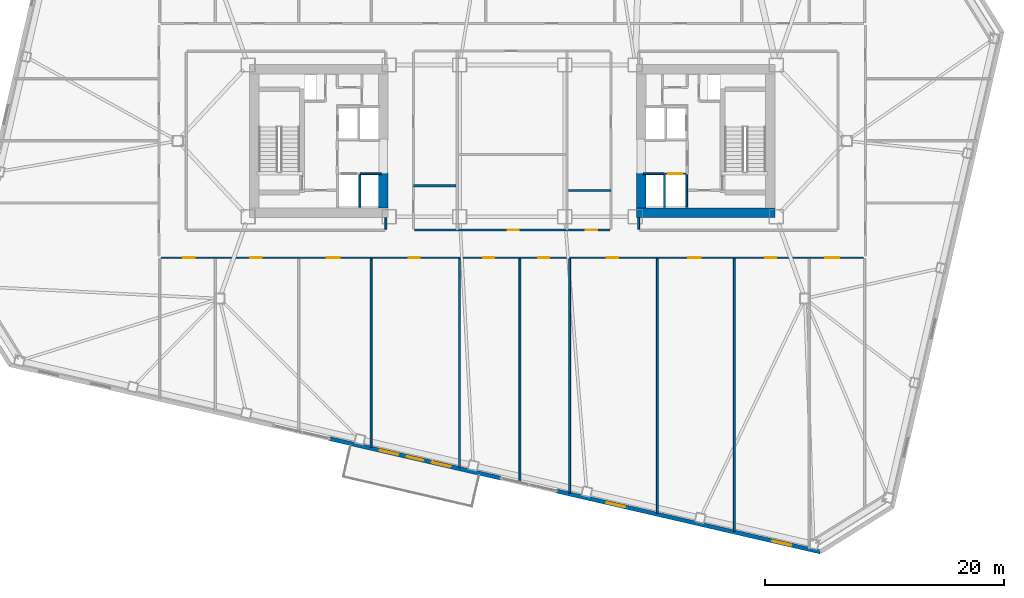
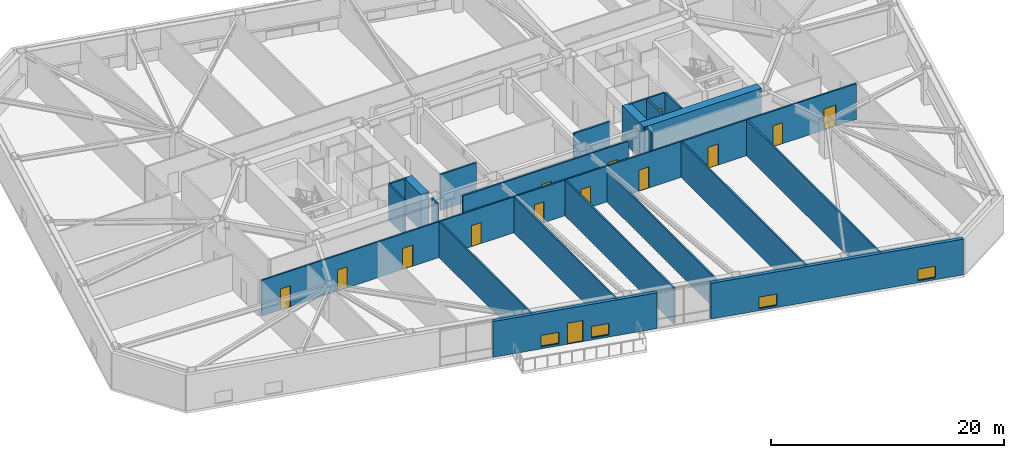
# One storey, part 10 of 21: 23 walls, 14 doors, 4 windows, 18 openings.
"""IFC4 building model written with IfcOpenShell, lengths in metres."""

from ifc_helpers import new_model, si_unit, direction, frame, frame_2d, origin, place, context, subcontext, project, spatial, rectangle, extrude, material, layer, layer_set, type_object, element, fill, save


model = new_model("IFC4")

# Units and contexts
model_context = context("Model", 3, precision=1e-05, world=origin(), true_north=direction((0.0, 1.0)))
body_context = subcontext(model_context, "Body", "Model", "MODEL_VIEW")
ifc_project = project(units=[si_unit("LENGTHUNIT", "METRE"), si_unit("AREAUNIT", "SQUARE_METRE"), si_unit("VOLUMEUNIT", "CUBIC_METRE"), si_unit("PLANEANGLEUNIT", "RADIAN"), si_unit("MASSUNIT", "GRAM", prefix="KILO")], contexts=[model_context])

# Site, building, storey
site_placement = place(None, origin())
site = spatial("IfcSite", under=ifc_project, at=site_placement, CompositionType="ELEMENT")
building_placement = place(site_placement, origin())
building = spatial("IfcBuilding", under=site, at=building_placement, Name="Tavrogorsk Clinical Tower", CompositionType="ELEMENT")
storey_placement = place(building_placement, frame((0.0, 0.0, 59.39990234375)))
storey = spatial("IfcBuildingStorey", under=building, at=storey_placement, Name="L12", CompositionType="ELEMENT", Elevation=59.39990234375)

# Wall, openings, doors
ifc_material_1 = material(Name="Lightweight concrete blockwork B15", Category="masonry")
ifc_layer_1 = layer(ifc_material_1, 0.159912109375)
ifc_layer_set_1 = layer_set([ifc_layer_1], Name="Lightweight concrete blockwork B15")
wall_type_1 = type_object("IfcWallType", Name="PartitionWall_160", PredefinedType="PARTITIONING", material=ifc_layer_set_1)
wall_1_placement = place(storey_placement, frame((29.4150390625, -9.780029296875, 0.0), z_axis=(0.0, 0.0, 1.0), x_axis=(-1.0, 0.0, 0.0)))
wall_1 = element("IfcWall", 1, at=wall_1_placement, inside=storey, type_object=wall_type_1, Name="L12 Corridor Partition 04", PredefinedType="PARTITIONING", context=body_context, shape_type="SweptSolid", body=[
    extrude(rectangle(XDim=58.830078125, YDim=0.159912109375, at=frame_2d((29.4150390625, 0.0))), origin(), (0.0, 0.0, 1.0), 3.739990234375),
])
opening_1_placement = place(wall_1_placement, frame((56.005859375, 0.0, 0.0)))
opening_1 = element("IfcOpeningElement", 2, at=opening_1_placement, cuts=wall_1, Name="Opening ID-02", PredefinedType="OPENING", context=body_context, shape_type="SweptSolid", body=[
    extrude(rectangle(XDim=0.949951171875, YDim=2.199951171875, at=frame_2d((0.47509765625, 1.10009765625))), frame((0.0, 0.08984375, 0.0), z_axis=(0.0, -1.0, 0.0), x_axis=(1.0, 0.0, 0.0)), (0.0, 0.0, 1.0), 0.179931640625),
])
opening_2_placement = place(wall_1_placement, frame((50.389892578125, 0.0, 0.0)))
opening_2 = element("IfcOpeningElement", 3, at=opening_2_placement, cuts=wall_1, Name="Opening ID-02", PredefinedType="OPENING", context=body_context, shape_type="SweptSolid", body=[
    extrude(rectangle(XDim=0.949951171875, YDim=2.199951171875, at=frame_2d((0.47509765625, 1.10009765625))), frame((0.0, 0.08984375, 0.0), z_axis=(0.0, -1.0, 0.0), x_axis=(1.0, 0.0, 0.0)), (0.0, 0.0, 1.0), 0.179931640625),
])
opening_3_placement = place(wall_1_placement, frame((43.8701171875, 0.0, 0.0)))
opening_3 = element("IfcOpeningElement", 4, at=opening_3_placement, cuts=wall_1, Name="Opening ID-04", PredefinedType="OPENING", context=body_context, shape_type="SweptSolid", body=[
    extrude(rectangle(XDim=1.050048828125, YDim=2.199951171875, at=frame_2d((0.52490234375, 1.10009765625))), frame((0.0, 0.08984375, 0.0), z_axis=(0.0, -1.0, 0.0), x_axis=(1.0, 0.0, 0.0)), (0.0, 0.0, 1.0), 0.179931640625),
])
opening_4_placement = place(wall_1_placement, frame((37.135009765625, 0.0, 0.0)))
opening_4 = element("IfcOpeningElement", 5, at=opening_4_placement, cuts=wall_1, Name="Opening ID-02", PredefinedType="OPENING", context=body_context, shape_type="SweptSolid", body=[
    extrude(rectangle(XDim=0.949951171875, YDim=2.199951171875, at=frame_2d((0.47509765625, 1.10009765625))), frame((0.0, 0.08984375, 0.0), z_axis=(0.0, -1.0, 0.0), x_axis=(1.0, 0.0, 0.0)), (0.0, 0.0, 1.0), 0.179931640625),
])
opening_5_placement = place(wall_1_placement, frame((30.907470703125, 0.0, 0.0)))
opening_5 = element("IfcOpeningElement", 6, at=opening_5_placement, cuts=wall_1, Name="Opening ID-02", PredefinedType="OPENING", context=body_context, shape_type="SweptSolid", body=[
    extrude(rectangle(XDim=0.949951171875, YDim=2.199951171875, at=frame_2d((0.47509765625, 1.10009765625))), frame((0.0, 0.08984375, 0.0), z_axis=(0.0, -1.0, 0.0), x_axis=(1.0, 0.0, 0.0)), (0.0, 0.0, 1.0), 0.179931640625),
])
opening_6_placement = place(wall_1_placement, frame((26.302490234375, 0.0, 0.0)))
opening_6 = element("IfcOpeningElement", 7, at=opening_6_placement, cuts=wall_1, Name="Opening ID-02", PredefinedType="OPENING", context=body_context, shape_type="SweptSolid", body=[
    extrude(rectangle(XDim=0.949951171875, YDim=2.199951171875, at=frame_2d((0.47509765625, 1.10009765625))), frame((0.0, 0.08984375, 0.0), z_axis=(0.0, -1.0, 0.0), x_axis=(1.0, 0.0, 0.0)), (0.0, 0.0, 1.0), 0.179931640625),
])
opening_7_placement = place(wall_1_placement, frame((20.550048828125, 0.0, 0.0)))
opening_7 = element("IfcOpeningElement", 8, at=opening_7_placement, cuts=wall_1, Name="Opening ID-02", PredefinedType="OPENING", context=body_context, shape_type="SweptSolid", body=[
    extrude(rectangle(XDim=0.949951171875, YDim=2.199951171875, at=frame_2d((0.47509765625, 1.10009765625))), frame((0.0, 0.08984375, 0.0), z_axis=(0.0, -1.0, 0.0), x_axis=(1.0, 0.0, 0.0)), (0.0, 0.0, 1.0), 0.179931640625),
])
opening_8_placement = place(wall_1_placement, frame((13.64990234375, 0.0, 0.0)))
opening_8 = element("IfcOpeningElement", 9, at=opening_8_placement, cuts=wall_1, Name="Opening ID-04", PredefinedType="OPENING", context=body_context, shape_type="SweptSolid", body=[
    extrude(rectangle(XDim=1.050048828125, YDim=2.199951171875, at=frame_2d((0.52490234375, 1.10009765625))), frame((0.0, 0.08984375, 0.0), z_axis=(0.0, -1.0, 0.0), x_axis=(1.0, 0.0, 0.0)), (0.0, 0.0, 1.0), 0.179931640625),
])
opening_9_placement = place(wall_1_placement, frame((7.300048828125, 0.0, 0.0)))
opening_9 = element("IfcOpeningElement", 10, at=opening_9_placement, cuts=wall_1, Name="Opening ID-02", PredefinedType="OPENING", context=body_context, shape_type="SweptSolid", body=[
    extrude(rectangle(XDim=0.949951171875, YDim=2.199951171875, at=frame_2d((0.47509765625, 1.10009765625))), frame((0.0, 0.08984375, 0.0), z_axis=(0.0, -1.0, 0.0), x_axis=(1.0, 0.0, 0.0)), (0.0, 0.0, 1.0), 0.179931640625),
])
opening_10_placement = place(wall_1_placement, frame((2.044189453125, 0.0, 0.0)))
opening_10 = element("IfcOpeningElement", 11, at=opening_10_placement, cuts=wall_1, Name="Opening ID-06", PredefinedType="OPENING", context=body_context, shape_type="SweptSolid", body=[
    extrude(rectangle(XDim=1.14990234375, YDim=2.199951171875, at=frame_2d((0.574951171875, 1.10009765625))), frame((0.0, 0.08984375, 0.0), z_axis=(0.0, -1.0, 0.0), x_axis=(1.0, 0.0, 0.0)), (0.0, 0.0, 1.0), 0.179931640625),
])
ifc_material_2 = material(Name="Antibacterial HPL consultation door on aluminium frame", Category="aluminium")
door_type_1 = type_object("IfcDoorType", Name="ConsultDoor_ID04_1050", OperationType="NOTDEFINED", PredefinedType="DOOR", material=ifc_material_2)
door_1_placement = place(opening_3_placement, origin())
door_1 = element("IfcDoor", 12, at=door_1_placement, inside=storey, type_object=door_type_1, Name="L12 South Patient & Caregiver Quiet Library 02B Door", OperationType="SINGLE_SWING_LEFT", OverallHeight=2.199951171875, OverallWidth=1.050048828125, PredefinedType="DOOR", context=body_context, shape_type="SweptSolid", body=[
    extrude(rectangle(XDim=1.050048828125, YDim=2.199951171875, at=frame_2d((0.52490234375, 1.10009765625))), frame((0.0, 0.02490234375, 0.0), z_axis=(0.0, -1.0, 0.0), x_axis=(1.0, 0.0, 0.0)), (0.0, 0.0, 1.0), 0.050048828125),
])
fill(opening_3, door_1)
door_2_placement = place(opening_8_placement, origin())
door_2 = element("IfcDoor", 13, at=door_2_placement, inside=storey, type_object=door_type_1, Name="L12 South Tumour Board Conference Room 05B Door", OperationType="SINGLE_SWING_RIGHT", OverallHeight=2.199951171875, OverallWidth=1.050048828125, PredefinedType="DOOR", context=body_context, shape_type="SweptSolid", body=[
    extrude(rectangle(XDim=1.050048828125, YDim=2.199951171875, at=frame_2d((0.52490234375, 1.10009765625))), frame((0.0, 0.02490234375, 0.0), z_axis=(0.0, -1.0, 0.0), x_axis=(1.0, 0.0, 0.0)), (0.0, 0.0, 1.0), 0.050048828125),
])
fill(opening_8, door_2)
ifc_material_3 = material(Name="Laminated timber leaf on aluminium frame", Category="wood")
door_type_2 = type_object("IfcDoorType", Name="InteriorDoor_ID02_950", OperationType="NOTDEFINED", PredefinedType="DOOR", material=ifc_material_3)
door_3_placement = place(opening_1_placement, origin())
door_3 = element("IfcDoor", 14, at=door_3_placement, inside=storey, type_object=door_type_2, Name="L12 South Oncology Research & Data Office 01 Door", OperationType="SINGLE_SWING_LEFT", OverallHeight=2.199951171875, OverallWidth=0.949951171875, PredefinedType="DOOR", context=body_context, shape_type="SweptSolid", body=[
    extrude(rectangle(XDim=0.949951171875, YDim=2.199951171875, at=frame_2d((0.47509765625, 1.10009765625))), frame((0.0, 0.02490234375, 0.0), z_axis=(0.0, -1.0, 0.0), x_axis=(1.0, 0.0, 0.0)), (0.0, 0.0, 1.0), 0.050048828125),
])
fill(opening_1, door_3)
door_4_placement = place(opening_2_placement, origin())
door_4 = element("IfcDoor", 15, at=door_4_placement, inside=storey, type_object=door_type_2, Name="L12 South Outpatient Oncology Infusion Lounge 02A Door", OperationType="SINGLE_SWING_RIGHT", OverallHeight=2.199951171875, OverallWidth=0.949951171875, PredefinedType="DOOR", context=body_context, shape_type="SweptSolid", body=[
    extrude(rectangle(XDim=0.949951171875, YDim=2.199951171875, at=frame_2d((0.47509765625, 1.10009765625))), frame((0.0, 0.02490234375, 0.0), z_axis=(0.0, -1.0, 0.0), x_axis=(1.0, 0.0, 0.0)), (0.0, 0.0, 1.0), 0.050048828125),
])
fill(opening_2, door_4)
door_5_placement = place(opening_4_placement, origin())
door_5 = element("IfcDoor", 16, at=door_5_placement, inside=storey, type_object=door_type_2, Name="L12 Terrace Recuperation Day Room & Lounge Door", OperationType="SINGLE_SWING_RIGHT", OverallHeight=2.199951171875, OverallWidth=0.949951171875, PredefinedType="DOOR", context=body_context, shape_type="SweptSolid", body=[
    extrude(rectangle(XDim=0.949951171875, YDim=2.199951171875, at=frame_2d((0.47509765625, 1.10009765625))), frame((0.0, 0.02490234375, 0.0), z_axis=(0.0, -1.0, 0.0), x_axis=(1.0, 0.0, 0.0)), (0.0, 0.0, 1.0), 0.050048828125),
])
fill(opening_4, door_5)
door_6_placement = place(opening_5_placement, origin())
door_6 = element("IfcDoor", 17, at=door_6_placement, inside=storey, type_object=door_type_2, Name="L12 South Outpatient Oncology Infusion Lounge 04A Door", OperationType="SINGLE_SWING_LEFT", OverallHeight=2.199951171875, OverallWidth=0.949951171875, PredefinedType="DOOR", context=body_context, shape_type="SweptSolid", body=[
    extrude(rectangle(XDim=0.949951171875, YDim=2.199951171875, at=frame_2d((0.47509765625, 1.10009765625))), frame((0.0, 0.02490234375, 0.0), z_axis=(0.0, -1.0, 0.0), x_axis=(1.0, 0.0, 0.0)), (0.0, 0.0, 1.0), 0.050048828125),
])
fill(opening_5, door_6)
door_7_placement = place(opening_6_placement, origin())
door_7 = element("IfcDoor", 18, at=door_7_placement, inside=storey, type_object=door_type_2, Name="L12 South Patient & Caregiver Quiet Library 04B Door", OperationType="SINGLE_SWING_RIGHT", OverallHeight=2.199951171875, OverallWidth=0.949951171875, PredefinedType="DOOR", context=body_context, shape_type="SweptSolid", body=[
    extrude(rectangle(XDim=0.949951171875, YDim=2.199951171875, at=frame_2d((0.47509765625, 1.10009765625))), frame((0.0, 0.02490234375, 0.0), z_axis=(0.0, -1.0, 0.0), x_axis=(1.0, 0.0, 0.0)), (0.0, 0.0, 1.0), 0.050048828125),
])
fill(opening_6, door_7)
door_8_placement = place(opening_7_placement, origin())
door_8 = element("IfcDoor", 19, at=door_8_placement, inside=storey, type_object=door_type_2, Name="L12 South Oncology Research & Data Office 05A Door", OperationType="SINGLE_SWING_LEFT", OverallHeight=2.199951171875, OverallWidth=0.949951171875, PredefinedType="DOOR", context=body_context, shape_type="SweptSolid", body=[
    extrude(rectangle(XDim=0.949951171875, YDim=2.199951171875, at=frame_2d((0.47509765625, 1.10009765625))), frame((0.0, 0.02490234375, 0.0), z_axis=(0.0, -1.0, 0.0), x_axis=(1.0, 0.0, 0.0)), (0.0, 0.0, 1.0), 0.050048828125),
])
fill(opening_7, door_8)
door_9_placement = place(opening_9_placement, origin())
door_9 = element("IfcDoor", 20, at=door_9_placement, inside=storey, type_object=door_type_2, Name="L12 South Outpatient Oncology Infusion Lounge 06 Door", OperationType="SINGLE_SWING_LEFT", OverallHeight=2.199951171875, OverallWidth=0.949951171875, PredefinedType="DOOR", context=body_context, shape_type="SweptSolid", body=[
    extrude(rectangle(XDim=0.949951171875, YDim=2.199951171875, at=frame_2d((0.47509765625, 1.10009765625))), frame((0.0, 0.02490234375, 0.0), z_axis=(0.0, -1.0, 0.0), x_axis=(1.0, 0.0, 0.0)), (0.0, 0.0, 1.0), 0.050048828125),
])
fill(opening_9, door_9)
ifc_material_4 = material(Name="Antibacterial HPL procedure door on aluminium frame", Category="aluminium")
door_type_3 = type_object("IfcDoorType", Name="LabDoor_ID06_1150", OperationType="NOTDEFINED", PredefinedType="DOOR", material=ifc_material_4)
door_10_placement = place(opening_10_placement, origin())
door_10 = element("IfcDoor", 21, at=door_10_placement, inside=storey, type_object=door_type_3, Name="L12 South Oncology Research & Data Office 07 Door", OperationType="SINGLE_SWING_RIGHT", OverallHeight=2.199951171875, OverallWidth=1.14990234375, PredefinedType="DOOR", context=body_context, shape_type="SweptSolid", body=[
    extrude(rectangle(XDim=1.14990234375, YDim=2.199951171875, at=frame_2d((0.574951171875, 1.10009765625))), frame((0.0, 0.02490234375, 0.0), z_axis=(0.0, -1.0, 0.0), x_axis=(1.0, 0.0, 0.0)), (0.0, 0.0, 1.0), 0.050048828125),
])
fill(opening_10, door_10)

# Wall
wall_2_placement = place(storey_placement, frame((10.580078125, -6.419921875, 0.0), z_axis=(0.0, 0.0, 1.0), x_axis=(0.0, -1.0, 0.0)))
element("IfcWall", 22, at=wall_2_placement, inside=storey, type_object=wall_type_1, Name="L12 Corridor Partition 07", PredefinedType="PARTITIONING", context=body_context, shape_type="SweptSolid", body=[
    extrude(rectangle(XDim=0.965087890625, YDim=0.159912109375, at=frame_2d((0.482421875, 0.0))), origin(), (0.0, 0.0, 1.0), 3.739990234375),
])

# Wall, openings, doors
wall_3_placement = place(storey_placement, frame((-8.18505859375, -7.469970703125, 0.0), z_axis=(0.0, 0.0, 1.0), x_axis=(1.0, 0.0, 0.0)))
wall_3 = element("IfcWall", 23, at=wall_3_placement, inside=storey, type_object=wall_type_1, Name="L12 Corridor Partition 13", PredefinedType="PARTITIONING", context=body_context, shape_type="SweptSolid", body=[
    extrude(rectangle(XDim=16.3701171875, YDim=0.159912109375, at=frame_2d((8.18505859375, 0.0))), origin(), (0.0, 0.0, 1.0), 3.739990234375),
])
opening_11_placement = place(wall_3_placement, frame((7.794921875, 0.0, 0.0)))
opening_11 = element("IfcOpeningElement", 24, at=opening_11_placement, cuts=wall_3, Name="Opening ID-02", PredefinedType="OPENING", context=body_context, shape_type="SweptSolid", body=[
    extrude(rectangle(XDim=0.949951171875, YDim=2.199951171875, at=frame_2d((0.47509765625, 1.10009765625))), frame((0.0, 0.08984375, 0.0), z_axis=(0.0, -1.0, 0.0), x_axis=(1.0, 0.0, 0.0)), (0.0, 0.0, 1.0), 0.179931640625),
])
opening_12_placement = place(wall_3_placement, frame((14.3359375, 0.0, 0.0)))
opening_12 = element("IfcOpeningElement", 25, at=opening_12_placement, cuts=wall_3, Name="Opening ID-02", PredefinedType="OPENING", context=body_context, shape_type="SweptSolid", body=[
    extrude(rectangle(XDim=0.949951171875, YDim=2.199951171875, at=frame_2d((0.47509765625, 1.10009765625))), frame((0.0, 0.08984375, 0.0), z_axis=(0.0, -1.0, 0.0), x_axis=(1.0, 0.0, 0.0)), (0.0, 0.0, 1.0), 0.179931640625),
])
door_11_placement = place(opening_11_placement, origin())
door_11 = element("IfcDoor", 26, at=door_11_placement, inside=storey, type_object=door_type_2, Name="L12 Multidisciplinary Conference Room Door", OperationType="SINGLE_SWING_LEFT", OverallHeight=2.199951171875, OverallWidth=0.949951171875, PredefinedType="DOOR", context=body_context, shape_type="SweptSolid", body=[
    extrude(rectangle(XDim=0.949951171875, YDim=2.199951171875, at=frame_2d((0.47509765625, 1.10009765625))), frame((0.0, 0.02490234375, 0.0), z_axis=(0.0, -1.0, 0.0), x_axis=(1.0, 0.0, 0.0)), (0.0, 0.0, 1.0), 0.050048828125),
])
fill(opening_11, door_11)
door_12_placement = place(opening_12_placement, origin())
door_12 = element("IfcDoor", 27, at=door_12_placement, inside=storey, type_object=door_type_2, Name="L12 Staff & Visitor Accessible WC Door", OperationType="SINGLE_SWING_LEFT", OverallHeight=2.199951171875, OverallWidth=0.949951171875, PredefinedType="DOOR", context=body_context, shape_type="SweptSolid", body=[
    extrude(rectangle(XDim=0.949951171875, YDim=2.199951171875, at=frame_2d((0.47509765625, 1.10009765625))), frame((0.0, 0.02490234375, 0.0), z_axis=(0.0, -1.0, 0.0), x_axis=(1.0, 0.0, 0.0)), (0.0, 0.0, 1.0), 0.050048828125),
])
fill(opening_12, door_12)

# Walls
wall_4_placement = place(storey_placement, frame((-10.580078125, -7.385009765625, 0.0), z_axis=(0.0, 0.0, 1.0), x_axis=(0.0, 1.0, 0.0)))
element("IfcWall", 28, at=wall_4_placement, inside=storey, type_object=wall_type_1, Name="L12 Corridor Partition 14", PredefinedType="PARTITIONING", context=body_context, shape_type="SweptSolid", body=[
    extrude(rectangle(XDim=0.965087890625, YDim=0.159912109375, at=frame_2d((0.482421875, 0.0))), origin(), (0.0, 0.0, 1.0), 3.739990234375),
])
wall_5_placement = place(storey_placement, frame((-11.81005859375, -25.654541015625, 0.0), z_axis=(0.0, 0.0, 1.0), x_axis=(0.0, 1.0, 0.0)))
element("IfcWall", 29, at=wall_5_placement, inside=storey, type_object=wall_type_1, Name="L12 South Room Partition 2", PredefinedType="PARTITIONING", context=body_context, shape_type="SweptSolid", body=[
    extrude(rectangle(XDim=15.78955078125, YDim=0.159912109375, at=frame_2d((7.894775390625, 0.0))), origin(), (0.0, 0.0, 1.0), 3.739990234375),
])
wall_6_placement = place(storey_placement, frame((-4.409912109375, -27.363037109375, 0.0), z_axis=(0.0, 0.0, 1.0), x_axis=(0.0, 1.0, 0.0)))
element("IfcWall", 30, at=wall_6_placement, inside=storey, type_object=wall_type_1, Name="L12 South Room Partition 3", PredefinedType="PARTITIONING", context=body_context, shape_type="SweptSolid", body=[
    extrude(rectangle(XDim=17.498046875, YDim=0.159912109375, at=frame_2d((8.7490234375, 0.0))), origin(), (0.0, 0.0, 1.0), 3.739990234375),
])
wall_7_placement = place(storey_placement, frame((4.800048828125, -29.4892578125, 0.0), z_axis=(0.0, 0.0, 1.0), x_axis=(0.0, 1.0, 0.0)))
element("IfcWall", 31, at=wall_7_placement, inside=storey, type_object=wall_type_1, Name="L12 South Room Partition 4", PredefinedType="PARTITIONING", context=body_context, shape_type="SweptSolid", body=[
    extrude(rectangle(XDim=19.624267578125, YDim=0.159912109375, at=frame_2d((9.81201171875, 0.0))), origin(), (0.0, 0.0, 1.0), 3.235107421875),
])
wall_8_placement = place(storey_placement, frame((18.60009765625, -32.67529296875, 0.0), z_axis=(0.0, 0.0, 1.0), x_axis=(0.0, 1.0, 0.0)))
element("IfcWall", 32, at=wall_8_placement, inside=storey, type_object=wall_type_1, Name="L12 South Room Partition 5", PredefinedType="PARTITIONING", context=body_context, shape_type="SweptSolid", body=[
    extrude(rectangle(XDim=22.810302734375, YDim=0.159912109375, at=frame_2d((11.4052734375, 0.0))), origin(), (0.0, 0.0, 1.0), 3.739990234375),
])
wall_9_placement = place(storey_placement, frame((0.64501953125, -28.530029296875, 0.0), z_axis=(0.0, 0.0, 1.0), x_axis=(0.0, 1.0, 0.0)))
element("IfcWall", 33, at=wall_9_placement, inside=storey, type_object=wall_type_1, Name="L12 South Sub-Partition 4", PredefinedType="PARTITIONING", context=body_context, shape_type="SweptSolid", body=[
    extrude(rectangle(XDim=18.6650390625, YDim=0.159912109375, at=frame_2d((9.33251953125, 0.0))), origin(), (0.0, 0.0, 1.0), 3.739990234375),
])
wall_10_placement = place(storey_placement, frame((12.14990234375, -31.186279296875, 0.0), z_axis=(0.0, 0.0, 1.0), x_axis=(0.0, 1.0, 0.0)))
element("IfcWall", 34, at=wall_10_placement, inside=storey, type_object=wall_type_1, Name="L12 South Sub-Partition 5", PredefinedType="PARTITIONING", context=body_context, shape_type="SweptSolid", body=[
    extrude(rectangle(XDim=21.3212890625, YDim=0.159912109375, at=frame_2d((10.66064453125, 0.0))), origin(), (0.0, 0.0, 1.0), 3.739990234375),
])
ifc_material_5 = material(Name="Lightweight concrete blockwork B20", Category="masonry")
ifc_layer_2 = layer(ifc_material_5, 0.179931640625)
ifc_layer_set_2 = layer_set([ifc_layer_2], Name="Lightweight concrete blockwork B20")
wall_type_2 = type_object("IfcWallType", Name="PartitionWall_180", PredefinedType="PARTITIONING", material=ifc_layer_set_2)
for number, where, z_axis, x_axis, name in (
    (35, (-8.264892578125, -3.75, 0.0), (0.0, 0.0, 1.0), (1.0, 0.0, 0.0), "L12 Central Spine Partition 4"),
    (36, (4.695068359375, -4.14990234375, 0.0), (0.0, 0.0, 1.0), (1.0, 0.0, 0.0), "L12 Central Spine Partition 5"),
):
    element("IfcWall", number, at=place(storey_placement, frame(where, z_axis=z_axis, x_axis=x_axis)), inside=storey, type_object=wall_type_2, Name=name, PredefinedType="PARTITIONING", context=body_context, shape_type="SweptSolid", body=[
        extrude(rectangle(XDim=3.56982421875, YDim=0.179931640625, at=frame_2d((1.784912109375, 0.0))), origin(), (0.0, 0.0, 1.0), 3.739990234375),
    ])

# Wall, openings, windows, door
ifc_material_6 = material(Name="Precast concrete B45 with limestone cladding", Category="masonry")
ifc_layer_3 = layer(ifc_material_6, 0.340087890625)
ifc_layer_set_3 = layer_set([ifc_layer_3], Name="Precast concrete B45 with limestone cladding")
wall_type_3 = type_object("IfcWallType", Name="PrecastLimestoneWall_340", PredefinedType="STANDARD", material=ifc_layer_set_3)
wall_11_placement = place(storey_placement, frame((-15.28076171875, -24.925048828125, 0.0), z_axis=(0.0, 0.0, 1.0), x_axis=(0.974370193991, -0.22495049469, 0.0)))
wall_11 = element("IfcWall", 37, at=wall_11_placement, inside=storey, type_object=wall_type_3, Name="L12 S Limestone Facade Wall 2", PredefinedType="STANDARD", context=body_context, shape_type="SweptSolid", body=[
    extrude(rectangle(XDim=14.697265625, YDim=0.340087890625, at=frame_2d((7.3486328125, 0.0))), origin(), (0.0, 0.0, 1.0), 3.739990234375),
])
opening_13_placement = place(wall_11_placement, frame((6.648681640625, 0.0, 0.0)))
opening_13 = element("IfcOpeningElement", 38, at=opening_13_placement, cuts=wall_11, Name="Opening ED-03", PredefinedType="OPENING", context=body_context, shape_type="SweptSolid", body=[
    extrude(rectangle(XDim=1.39990234375, YDim=2.199951171875, at=frame_2d((0.699951171875, 1.10009765625))), frame((0.0, 0.179931640625, 0.0), z_axis=(0.0, -1.0, 0.0), x_axis=(1.0, 0.0, 0.0)), (0.0, 0.0, 1.0), 0.360107421875),
])
opening_14_placement = place(wall_11_placement, frame((4.306396484375, 0.0, 0.219970703125)))
opening_14 = element("IfcOpeningElement", 39, at=opening_14_placement, cuts=wall_11, Name="Opening WN-09", PredefinedType="OPENING", context=body_context, shape_type="SweptSolid", body=[
    extrude(rectangle(XDim=1.60009765625, YDim=1.199951171875, at=frame_2d((0.800048828125, 0.60009765625))), frame((0.0, 0.179931640625, 0.0), z_axis=(0.0, -1.0, 0.0), x_axis=(1.0, 0.0, 0.0)), (0.0, 0.0, 1.0), 0.360107421875),
])
opening_15_placement = place(wall_11_placement, frame((8.790771484375, 0.0, 0.219970703125)))
opening_15 = element("IfcOpeningElement", 40, at=opening_15_placement, cuts=wall_11, Name="Opening WN-09", PredefinedType="OPENING", context=body_context, shape_type="SweptSolid", body=[
    extrude(rectangle(XDim=1.60009765625, YDim=1.199951171875, at=frame_2d((0.800048828125, 0.60009765625))), frame((0.0, 0.179931640625, 0.0), z_axis=(0.0, -1.0, 0.0), x_axis=(1.0, 0.0, 0.0)), (0.0, 0.0, 1.0), 0.360107421875),
])
ifc_material_7 = material(Name="Thermally broken aluminium frame and triple IGU", Category="aluminium")
window_type = type_object("IfcWindowType", Name="LowHeadTransWin_1600x1200", PartitioningType="DOUBLE_PANEL_VERTICAL", PredefinedType="WINDOW", material=ifc_material_7)
window_1_placement = place(opening_14_placement, origin())
window_1 = element("IfcWindow", 41, at=window_1_placement, inside=storey, type_object=window_type, Name="L12 S Chicago Window 05", OverallHeight=1.199951171875, OverallWidth=1.60009765625, PartitioningType="SINGLE_PANEL", PredefinedType="WINDOW", context=body_context, shape_type="SweptSolid", body=[
    extrude(rectangle(XDim=1.60009765625, YDim=1.199951171875, at=frame_2d((0.800048828125, 0.60009765625))), frame((0.0, 0.030029296875, 0.0), z_axis=(0.0, -1.0, 0.0), x_axis=(1.0, 0.0, 0.0)), (0.0, 0.0, 1.0), 0.06005859375),
])
fill(opening_14, window_1)
window_2_placement = place(opening_15_placement, origin())
window_2 = element("IfcWindow", 42, at=window_2_placement, inside=storey, type_object=window_type, Name="L12 S Chicago Window 06", OverallHeight=1.199951171875, OverallWidth=1.60009765625, PartitioningType="SINGLE_PANEL", PredefinedType="WINDOW", context=body_context, shape_type="SweptSolid", body=[
    extrude(rectangle(XDim=1.60009765625, YDim=1.199951171875, at=frame_2d((0.800048828125, 0.60009765625))), frame((0.0, 0.030029296875, 0.0), z_axis=(0.0, -1.0, 0.0), x_axis=(1.0, 0.0, 0.0)), (0.0, 0.0, 1.0), 0.06005859375),
])
fill(opening_15, window_2)
ifc_material_8 = material(Name="Thermally broken aluminium and laminated safety glass", Category="aluminium")
door_type_4 = type_object("IfcDoorType", Name="TerraceGlassDoor_ED03_1400", OperationType="DOUBLE_SWING_LEFT", PredefinedType="DOOR", material=ifc_material_8)
door_13_placement = place(opening_13_placement, origin())
door_13 = element("IfcDoor", 43, at=door_13_placement, inside=storey, type_object=door_type_4, Name="L12 Spiralling Recuperation Terrace Door ED-03", OperationType="DOUBLE_SWING_LEFT", OverallHeight=2.199951171875, OverallWidth=1.39990234375, PredefinedType="DOOR", context=body_context, shape_type="SweptSolid", body=[
    extrude(rectangle(XDim=1.39990234375, YDim=2.199951171875, at=frame_2d((0.699951171875, 1.10009765625))), frame((0.0, 0.02490234375, 0.0), z_axis=(0.0, -1.0, 0.0), x_axis=(1.0, 0.0, 0.0)), (0.0, 0.0, 1.0), 0.050048828125),
])
fill(opening_13, door_13)

# Wall, openings, windows
wall_12_placement = place(storey_placement, frame((3.716796875, -29.31103515625, 0.0), z_axis=(0.0, 0.0, 1.0), x_axis=(0.97436993772, -0.224951604723, 0.0)))
wall_12 = element("IfcWall", 44, at=wall_12_placement, inside=storey, type_object=wall_type_3, Name="L12 S Limestone Facade Wall 3", PredefinedType="STANDARD", context=body_context, shape_type="SweptSolid", body=[
    extrude(rectangle(XDim=22.6513671875, YDim=0.340087890625, at=frame_2d((11.32568359375, 0.0))), origin(), (0.0, 0.0, 1.0), 3.739990234375),
])
opening_16_placement = place(wall_12_placement, frame((4.306396484375, 0.0, 0.219970703125)))
opening_16 = element("IfcOpeningElement", 45, at=opening_16_placement, cuts=wall_12, Name="Opening WN-09", PredefinedType="OPENING", context=body_context, shape_type="SweptSolid", body=[
    extrude(rectangle(XDim=1.60009765625, YDim=1.199951171875, at=frame_2d((0.800048828125, 0.60009765625))), frame((0.0, 0.179931640625, 0.0), z_axis=(0.0, -1.0, 0.0), x_axis=(1.0, 0.0, 0.0)), (0.0, 0.0, 1.0), 0.360107421875),
])
opening_17_placement = place(wall_12_placement, frame((18.539306640625, 0.0, 0.219970703125)))
opening_17 = element("IfcOpeningElement", 46, at=opening_17_placement, cuts=wall_12, Name="Opening WN-09", PredefinedType="OPENING", context=body_context, shape_type="SweptSolid", body=[
    extrude(rectangle(XDim=1.60009765625, YDim=1.199951171875, at=frame_2d((0.800048828125, 0.60009765625))), frame((0.0, 0.179931640625, 0.0), z_axis=(0.0, -1.0, 0.0), x_axis=(1.0, 0.0, 0.0)), (0.0, 0.0, 1.0), 0.360107421875),
])
window_3_placement = place(opening_16_placement, origin())
window_3 = element("IfcWindow", 47, at=window_3_placement, inside=storey, type_object=window_type, Name="L12 S Chicago Window 07", OverallHeight=1.199951171875, OverallWidth=1.60009765625, PartitioningType="SINGLE_PANEL", PredefinedType="WINDOW", context=body_context, shape_type="SweptSolid", body=[
    extrude(rectangle(XDim=1.60009765625, YDim=1.199951171875, at=frame_2d((0.800048828125, 0.60009765625))), frame((0.0, 0.030029296875, 0.0), z_axis=(0.0, -1.0, 0.0), x_axis=(1.0, 0.0, 0.0)), (0.0, 0.0, 1.0), 0.06005859375),
])
fill(opening_16, window_3)
window_4_placement = place(opening_17_placement, origin())
window_4 = element("IfcWindow", 48, at=window_4_placement, inside=storey, type_object=window_type, Name="L12 S Chicago Window 10", OverallHeight=1.199951171875, OverallWidth=1.60009765625, PartitioningType="SINGLE_PANEL", PredefinedType="WINDOW", context=body_context, shape_type="SweptSolid", body=[
    extrude(rectangle(XDim=1.60009765625, YDim=1.199951171875, at=frame_2d((0.800048828125, 0.60009765625))), frame((0.0, 0.030029296875, 0.0), z_axis=(0.0, -1.0, 0.0), x_axis=(1.0, 0.0, 0.0)), (0.0, 0.0, 1.0), 0.06005859375),
])
fill(opening_17, window_4)

# Walls
ifc_material_9 = material(Name="Lightweight concrete blockwork B25", Category="masonry")
ifc_layer_4 = layer(ifc_material_9, 0.159912109375)
ifc_layer_set_4 = layer_set([ifc_layer_4], Name="Lightweight concrete blockwork B25")
wall_type_4 = type_object("IfcWallType", Name="ShaftWall_160", PredefinedType="PARTITIONING", material=ifc_layer_set_4)
wall_13_placement = place(storey_placement, frame((-12.75, -5.5400390625, 0.0), z_axis=(0.0, 0.0, 1.0), x_axis=(0.0, 1.0, 0.0)))
element("IfcWall", 49, at=wall_13_placement, inside=storey, type_object=wall_type_4, Name="L12 LP-L1 Lift Hoistway Divider Wall", PredefinedType="PARTITIONING", context=body_context, shape_type="SweptSolid", body=[
    extrude(rectangle(XDim=2.699951171875, YDim=0.159912109375, at=frame_2d((1.35009765625, 0.0))), origin(), (0.0, 0.0, 1.0), 3.739990234375),
])
wall_14_placement = place(storey_placement, frame((-12.72998046875, -2.75, 0.0), z_axis=(0.0, 0.0, 1.0), x_axis=(1.0, 0.0, 0.0)))
element("IfcWall", 50, at=wall_14_placement, inside=storey, type_object=wall_type_4, Name="L12 LP-M1 Lift Shaft Portal Wall", PredefinedType="PARTITIONING", context=body_context, shape_type="SweptSolid", body=[
    extrude(rectangle(XDim=1.760009765625, YDim=0.159912109375, at=frame_2d((0.8798828125, 0.0))), origin(), (0.0, 0.0, 1.0), 3.739990234375),
])

# Wall, opening, door
wall_15_placement = place(storey_placement, frame((12.77001953125, -2.75, 0.0), z_axis=(0.0, 0.0, 1.0), x_axis=(1.0, 0.0, 0.0)))
wall_15 = element("IfcWall", 51, at=wall_15_placement, inside=storey, type_object=wall_type_4, Name="L12 LP-L2 Lift Shaft Portal Wall", PredefinedType="PARTITIONING", context=body_context, shape_type="SweptSolid", body=[
    extrude(rectangle(XDim=1.760009765625, YDim=0.159912109375, at=frame_2d((0.8798828125, 0.0))), origin(), (0.0, 0.0, 1.0), 3.739990234375),
])
opening_18_placement = place(wall_15_placement, frame((0.280029296875, 0.0, 0.0)))
opening_18 = element("IfcOpeningElement", 52, at=opening_18_placement, cuts=wall_15, Name="Opening LD", PredefinedType="OPENING", context=body_context, shape_type="SweptSolid", body=[
    extrude(rectangle(XDim=1.199951171875, YDim=2.199951171875, at=frame_2d((0.60009765625, 1.10009765625))), frame((0.0, 0.08984375, 0.0), z_axis=(0.0, -1.0, 0.0), x_axis=(1.0, 0.0, 0.0)), (0.0, 0.0, 1.0), 0.179931640625),
])
ifc_material_10 = material(Name="Brushed stainless steel AISI 304 sliding doors", Category="steel")
door_type_5 = type_object("IfcDoorType", Name="LiftLandingDoor_LD_1200", OperationType="SLIDING_TO_LEFT", PredefinedType="DOOR", material=ifc_material_10)
door_14_placement = place(opening_18_placement, origin())
door_14 = element("IfcDoor", 53, at=door_14_placement, inside=storey, type_object=door_type_5, Name="L12 LP-L2 Sliding Lift Landing Door", OperationType="SLIDING_TO_LEFT", OverallHeight=2.199951171875, OverallWidth=1.199951171875, PredefinedType="DOOR", context=body_context, shape_type="SweptSolid", body=[
    extrude(rectangle(XDim=1.199951171875, YDim=2.199951171875, at=frame_2d((0.60009765625, 1.10009765625))), frame((0.0, 0.02490234375, 0.0), z_axis=(0.0, -1.0, 0.0), x_axis=(1.0, 0.0, 0.0)), (0.0, 0.0, 1.0), 0.050048828125),
])
fill(opening_18, door_14)

# Walls
for number, where, z_axis, x_axis, name in (
    (54, (12.75, -5.5400390625, 0.0), (0.0, 0.0, 1.0), (0.0, 1.0, 0.0), "L12 LP-L2 Lift Hoistway Divider Wall"),
    (55, (14.610107421875, -5.5400390625, 0.0), (0.0, 0.0, 1.0), (0.0, 1.0, 0.0), "L12 LP-L2 Lift Hoistway Outer Cheek Wall"),
):
    element("IfcWall", number, at=place(storey_placement, frame(where, z_axis=z_axis, x_axis=x_axis)), inside=storey, type_object=wall_type_4, Name=name, PredefinedType="PARTITIONING", context=body_context, shape_type="SweptSolid", body=[
        extrude(rectangle(XDim=2.699951171875, YDim=0.159912109375, at=frame_2d((1.35009765625, 0.0))), origin(), (0.0, 0.0, 1.0), 3.739990234375),
    ])
wall_16_placement = place(storey_placement, frame((10.969970703125, -2.75, 0.0), z_axis=(0.0, 0.0, 1.0), x_axis=(1.0, 0.0, 0.0)))
element("IfcWall", 56, at=wall_16_placement, inside=storey, type_object=wall_type_4, Name="L12 LP-M2 Lift Shaft Portal Wall", PredefinedType="PARTITIONING", context=body_context, shape_type="SweptSolid", body=[
    extrude(rectangle(XDim=1.760009765625, YDim=0.159912109375, at=frame_2d((0.8798828125, 0.0))), origin(), (0.0, 0.0, 1.0), 3.739990234375),
])
ifc_material_11 = material(Name="Concrete B80", Category="concrete")
ifc_layer_5 = layer(ifc_material_11, 0.800048828125)
ifc_layer_set_5 = layer_set([ifc_layer_5], Name="Concrete B80")
wall_type_5 = type_object("IfcWallType", Name="ShearWall_800", PredefinedType="SHEAR", material=ifc_layer_set_5)
wall_17_placement = place(storey_placement, frame((-10.800048828125, -5.60009765625, 0.0), z_axis=(0.0, 0.0, 1.0), x_axis=(0.0, 1.0, 0.0)))
element("IfcWall", 57, at=wall_17_placement, inside=storey, type_object=wall_type_5, Name="L12 Core West Inner South Pier", PredefinedType="SHEAR", context=body_context, shape_type="SweptSolid", body=[
    extrude(rectangle(XDim=2.9501953125, YDim=0.800048828125, at=frame_2d((1.47509765625, 0.0))), origin(), (0.0, 0.0, 1.0), 3.739990234375),
])
wall_18_placement = place(storey_placement, frame((10.39990234375, -6.0, 0.0), z_axis=(0.0, 0.0, 1.0), x_axis=(1.0, 0.0, 0.0)))
element("IfcWall", 58, at=wall_18_placement, inside=storey, type_object=wall_type_5, Name="L12 Core East South Shear Wall", PredefinedType="SHEAR", context=body_context, shape_type="SweptSolid", body=[
    extrude(rectangle(XDim=11.60009765625, YDim=0.800048828125, at=frame_2d((5.800048828125, 0.0))), origin(), (0.0, 0.0, 1.0), 3.739990234375),
])
wall_19_placement = place(storey_placement, frame((10.800048828125, -5.60009765625, 0.0), z_axis=(0.0, 0.0, 1.0), x_axis=(0.0, 1.0, 0.0)))
element("IfcWall", 59, at=wall_19_placement, inside=storey, type_object=wall_type_5, Name="L12 Core East Inner South Pier", PredefinedType="SHEAR", context=body_context, shape_type="SweptSolid", body=[
    extrude(rectangle(XDim=2.9501953125, YDim=0.800048828125, at=frame_2d((1.47509765625, 0.0))), origin(), (0.0, 0.0, 1.0), 3.739990234375),
])

save(model, "model.ifc")
